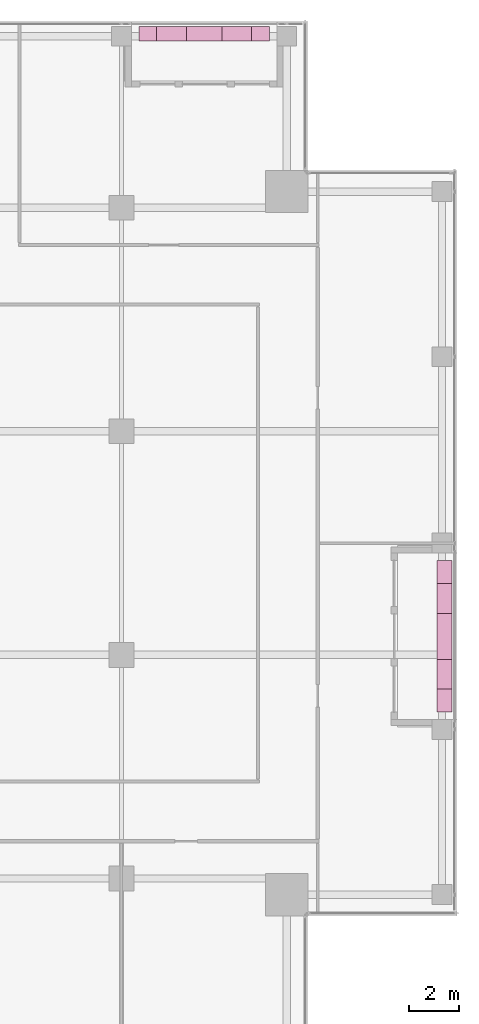
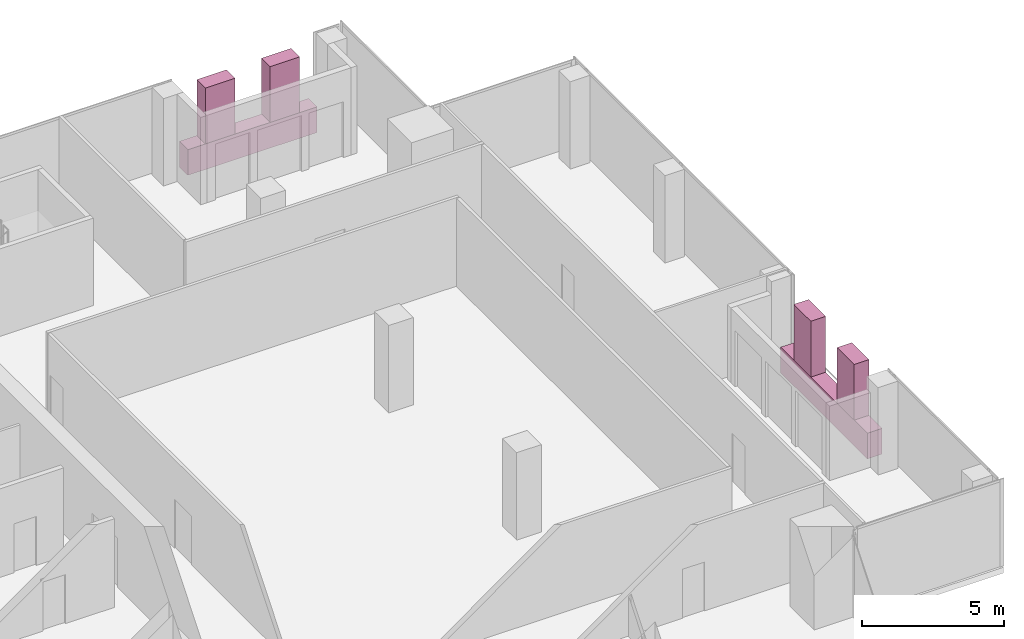
# One storey, part 29 of 29: 6 furnishings.
"""IFC4 building model written with IfcOpenShell, lengths in metres."""

from ifc_helpers import new_model, si_unit, direction, frame, origin, origin_2d, place, context, subcontext, project, spatial, rectangle, extrude, source, transform, mapped, material, type_object, element, save


model = new_model("IFC4")

# Units and contexts
model_context = context("Model", 3, precision=1e-05, world=origin(), true_north=direction((0.0, 1.0)))
body_context = subcontext(model_context, "Body", "Model", "MODEL_VIEW")
ifc_project = project(units=[si_unit("LENGTHUNIT", "METRE"), si_unit("AREAUNIT", "SQUARE_METRE"), si_unit("VOLUMEUNIT", "CUBIC_METRE"), si_unit("PLANEANGLEUNIT", "RADIAN"), si_unit("MASSUNIT", "GRAM", prefix="KILO")], contexts=[model_context])

# Site, building, storey
site_placement = place(None, origin())
site = spatial("IfcSite", under=ifc_project, at=site_placement, CompositionType="ELEMENT")
building_placement = place(site_placement, origin())
building = spatial("IfcBuilding", under=site, at=building_placement, Name="Khomas Fold Tower", CompositionType="ELEMENT")
storey_placement = place(building_placement, frame((0.0, 0.0, 326.199951171875)))
storey = spatial("IfcBuildingStorey", under=building, at=storey_placement, Name="L74", CompositionType="ELEMENT", Elevation=326.199951171875)

# Furnishings
ifc_material_1 = material(Name="Planting")
furnishing_element_type_1 = type_object("IfcFurnishingElementType", Name="BL-Tree Wild olive", material=ifc_material_1)
shared_shape_1 = source(origin(), body_context, "Body", "SweptSolid", [
    extrude(rectangle(XDim=1.199951171875, YDim=0.60009765625, at=origin_2d()), origin(), (0.0, 0.0, 1.0), 2.39501953125),
])
furnishing_1_placement = place(storey_placement, frame((47.5, 21.72509765625, 1.054931640625), z_axis=(0.0, 0.0, 1.0), x_axis=(0.0, 1.0, 0.0)))
element("IfcFurnishingElement", 1, at=furnishing_1_placement, inside=storey, type_object=furnishing_element_type_1, Name="PLANTER (TREE) Wild olive BAL-L74-E2-1", context=body_context, shape_type="MappedRepresentation", body=[
    mapped(shared_shape_1, transform((0.0, 0.0, 0.0))),
])
ifc_material_2 = material(Name="Planting")
furnishing_element_type_2 = type_object("IfcFurnishingElementType", Name="BL-Tree Shepherd's tree", material=ifc_material_2)
furnishing_2_placement = place(storey_placement, frame((47.5, 24.77490234375, 1.054931640625), z_axis=(0.0, 0.0, 1.0), x_axis=(0.0, 1.0, 0.0)))
element("IfcFurnishingElement", 2, at=furnishing_2_placement, inside=storey, type_object=furnishing_element_type_2, Name="PLANTER (TREE) Shepherd's tree BAL-L74-E2-2", context=body_context, shape_type="MappedRepresentation", body=[
    mapped(shared_shape_1, transform((0.0, 0.0, 0.0))),
])
furnishing_3_placement = place(storey_placement, frame((36.512451171875, 47.5, 1.054931640625), z_axis=(0.0, 0.0, 1.0), x_axis=(1.0, 0.0, 0.0)))
element("IfcFurnishingElement", 3, at=furnishing_3_placement, inside=storey, type_object=furnishing_element_type_1, Name="PLANTER (TREE) Wild olive BAL-L74-N4-1", context=body_context, shape_type="MappedRepresentation", body=[
    mapped(shared_shape_1, transform((0.0, 0.0, 0.0))),
])
furnishing_4_placement = place(storey_placement, frame((39.137451171875, 47.5, 1.054931640625), z_axis=(0.0, 0.0, 1.0), x_axis=(1.0, 0.0, 0.0)))
element("IfcFurnishingElement", 4, at=furnishing_4_placement, inside=storey, type_object=furnishing_element_type_2, Name="PLANTER (TREE) Shepherd's tree BAL-L74-N4-2", context=body_context, shape_type="MappedRepresentation", body=[
    mapped(shared_shape_1, transform((0.0, 0.0, 0.0))),
])
ifc_material_3 = material(Name="Precast concrete C40/50", Category="concrete")
furnishing_element_type_3 = type_object("IfcFurnishingElementType", Name="BL-Structural planter box", material=ifc_material_3)
shared_shape_2 = source(origin(), body_context, "Body", "SweptSolid", [
    extrude(rectangle(XDim=5.25, YDim=0.60009765625, at=origin_2d()), origin(), (0.0, 0.0, 1.0), 1.10009765625),
])
furnishing_5_placement = place(storey_placement, frame((37.824951171875, 47.5, -0.044921875), z_axis=(0.0, 0.0, 1.0), x_axis=(1.0, 0.0, 0.0)))
element("IfcFurnishingElement", 5, at=furnishing_5_placement, inside=storey, type_object=furnishing_element_type_3, Name="PLANTER BAL-L74-N4", context=body_context, shape_type="MappedRepresentation", body=[
    mapped(shared_shape_2, transform((0.0, 0.0, 0.0))),
])
shared_shape_3 = source(origin(), body_context, "Body", "SweptSolid", [
    extrude(rectangle(XDim=6.10009765625, YDim=0.60009765625, at=origin_2d()), origin(), (0.0, 0.0, 1.0), 1.10009765625),
])
furnishing_6_placement = place(storey_placement, frame((47.5, 23.25, -0.044921875), z_axis=(0.0, 0.0, 1.0), x_axis=(0.0, 1.0, 0.0)))
element("IfcFurnishingElement", 6, at=furnishing_6_placement, inside=storey, type_object=furnishing_element_type_3, Name="PLANTER BAL-L74-E2", context=body_context, shape_type="MappedRepresentation", body=[
    mapped(shared_shape_3, transform((0.0, 0.0, 0.0))),
])

save(model, "model.ifc")
